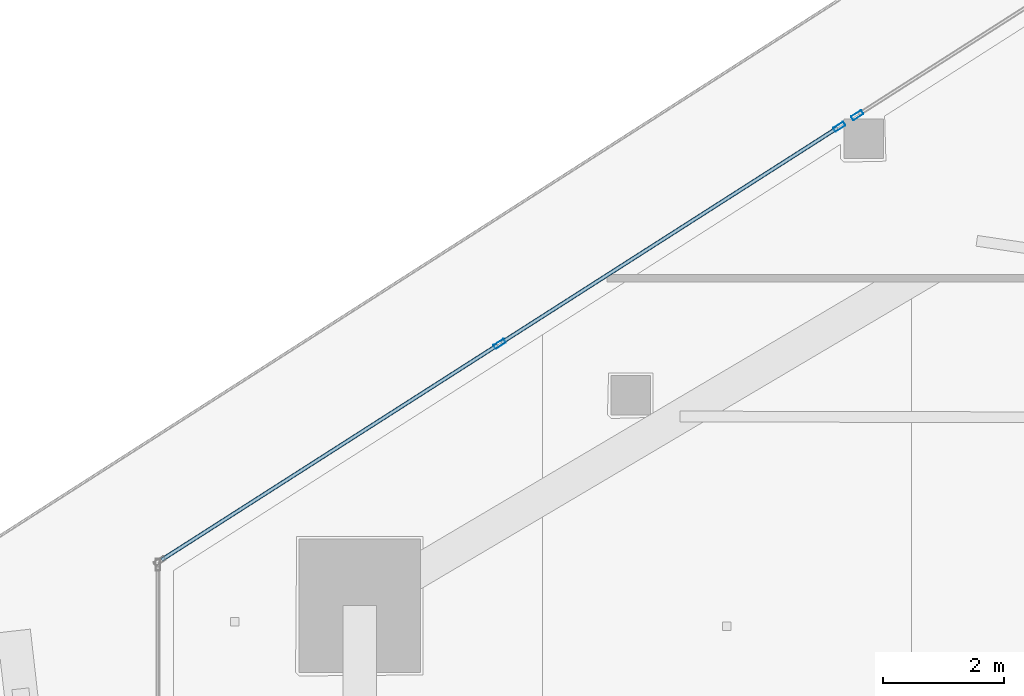
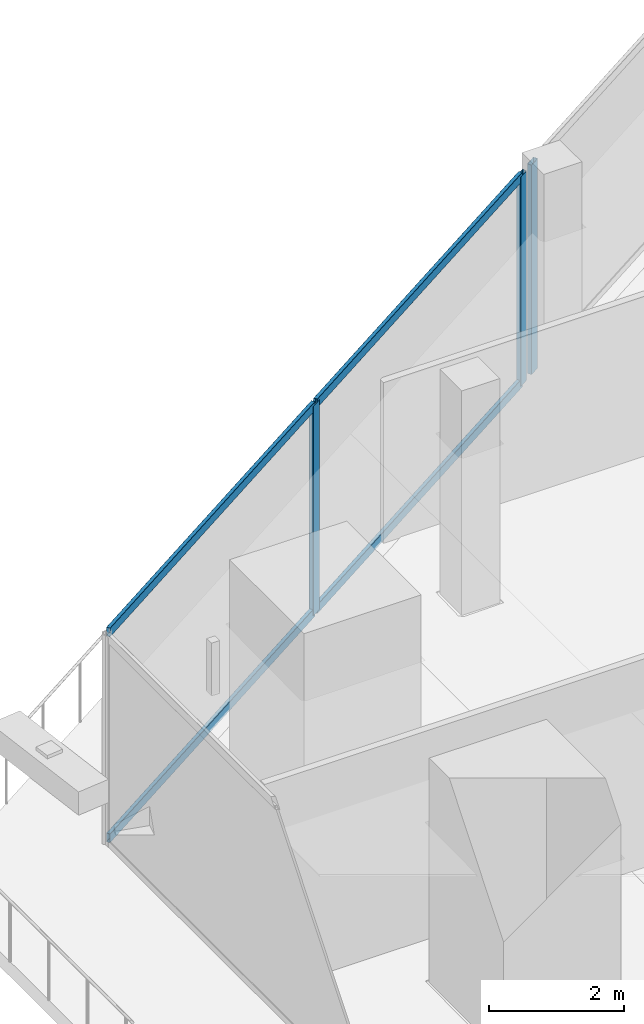
# One storey, part 14 of 38: 7 members, 2 elements without a shape of their own.
"""IFC4 building model written with IfcOpenShell, lengths in metres."""

from ifc_helpers import new_model, si_unit, direction, frame, origin, origin_2d, place, context, subcontext, project, spatial, hollow_rectangle, extrude, material, layer, layer_set, material_profile, profile_set, type_object, element, aggregate, save


model = new_model("IFC4")

# Units and contexts
model_context = context("Model", 3, precision=1e-05, world=origin(), true_north=direction((0.0, 1.0)))
body_context = subcontext(model_context, "Body", "Model", "MODEL_VIEW")
ifc_project = project(units=[si_unit("LENGTHUNIT", "METRE"), si_unit("AREAUNIT", "SQUARE_METRE"), si_unit("VOLUMEUNIT", "CUBIC_METRE"), si_unit("PLANEANGLEUNIT", "RADIAN"), si_unit("MASSUNIT", "GRAM", prefix="KILO")], contexts=[model_context])

# Site, building, storey
site_placement = place(None, origin())
site = spatial("IfcSite", under=ifc_project, at=site_placement, CompositionType="ELEMENT")
building_placement = place(site_placement, origin())
building = spatial("IfcBuilding", under=site, at=building_placement, Name="Qorvath Tower", CompositionType="ELEMENT")
storey_placement = place(building_placement, frame((0.0, 0.0, 158.39990234375)))
storey = spatial("IfcBuildingStorey", under=building, at=storey_placement, Name="L36", CompositionType="ELEMENT", Elevation=158.39990234375)

# Curtain wall, member
ifc_material_1 = material(Name="Anodised aluminium and triple low-E glass", Category="aluminium")
ifc_layer = layer(ifc_material_1, 0.179931640625)
ifc_layer_set = layer_set([ifc_layer], Name="CW-SYS-5")
curtain_wall_type = type_object("IfcCurtainWallType", Name="CW-SYS-5", PredefinedType="NOTDEFINED", material=ifc_layer_set)
curtain_wall_1_placement = place(storey_placement, origin())
curtain_wall_1 = element("IfcCurtainWall", 1, at=curtain_wall_1_placement, inside=storey, type_object=curtain_wall_type, Name="Curtain Wall CW-5 CW-T-L36-16.2", PredefinedType="NOTDEFINED")
ifc_material_2 = material(Name="Anodised aluminium 6063-T6", Category="aluminium")
ifc_material_profile_1 = material_profile(ifc_material_2, hollow_rectangle(XDim=0.074951171875, YDim=0.199951171875, WallThickness=0.00390625, InnerFilletRadius=0.00390625, OuterFilletRadius=0.008056640625, at=origin_2d()), Name="CWM 200x75")
ifc_profile_set_1 = profile_set([ifc_material_profile_1], Name="Anodised aluminium 6063-T6")
member_type_1 = type_object("IfcMemberType", Name="CWM-200", PredefinedType="MULLION", material=ifc_profile_set_1)
member_1_placement = place(storey_placement, frame((-44.841796875, 11.04248046875, 0.0), z_axis=(0.0, 0.0, 1.0), x_axis=(0.53853949052, -0.842600271273, 0.0)))
member_1 = element("IfcMember", 2, at=member_1_placement, type_object=member_type_1, Name="CW-5 mullion 4", PredefinedType="MULLION", context=body_context, shape_type="SweptSolid", body=[
    extrude(hollow_rectangle(XDim=0.074951171875, YDim=0.199951171875, WallThickness=0.00390625, InnerFilletRadius=0.00390625, OuterFilletRadius=0.008056640625, at=origin_2d()), origin(), (0.0, 0.0, 1.0), 3.780029296875),
])
aggregate(curtain_wall_1, [member_1])

# Curtain wall, members
curtain_wall_2_placement = place(storey_placement, origin())
curtain_wall_2 = element("IfcCurtainWall", 3, at=curtain_wall_2_placement, inside=storey, type_object=curtain_wall_type, Name="Curtain Wall CW-5 CW-T-L36-16.3", PredefinedType="NOTDEFINED")
member_2_placement = place(storey_placement, frame((-45.1376953125, 10.853271484375, 0.0), z_axis=(0.0, 0.0, 1.0), x_axis=(0.538528565454, -0.84260725382, 0.0)))
member_2 = element("IfcMember", 4, at=member_2_placement, type_object=member_type_1, Name="CW-5 mullion 1", PredefinedType="MULLION", context=body_context, shape_type="SweptSolid", body=[
    extrude(hollow_rectangle(XDim=0.074951171875, YDim=0.199951171875, WallThickness=0.00390625, InnerFilletRadius=0.00390625, OuterFilletRadius=0.008056640625, at=origin_2d()), origin(), (0.0, 0.0, 1.0), 3.780029296875),
])
member_3_placement = place(storey_placement, frame((-50.744140625, 7.27001953125, 0.0), z_axis=(0.0, 0.0, 1.0), x_axis=(0.538528565454, -0.84260725382, 0.0)))
member_3 = element("IfcMember", 5, at=member_3_placement, type_object=member_type_1, Name="CW-5 mullion 2", PredefinedType="MULLION", context=body_context, shape_type="SweptSolid", body=[
    extrude(hollow_rectangle(XDim=0.074951171875, YDim=0.199951171875, WallThickness=0.00390625, InnerFilletRadius=0.00390625, OuterFilletRadius=0.008056640625, at=origin_2d()), origin(), (0.0, 0.0, 1.0), 3.780029296875),
])
ifc_material_3 = material(Name="Anodised aluminium 6063-T6", Category="aluminium")
ifc_material_profile_2 = material_profile(ifc_material_3, hollow_rectangle(XDim=0.06494140625, YDim=0.159912109375, WallThickness=0.00341796875, InnerFilletRadius=0.00341796875, OuterFilletRadius=0.007080078125, at=origin_2d()), Name="CWT 160x65")
ifc_profile_set_2 = profile_set([ifc_material_profile_2], Name="Anodised aluminium 6063-T6")
member_type_2 = type_object("IfcMemberType", Name="CWT-160", PredefinedType="USERDEFINED", material=ifc_profile_set_2)
member_4_placement = place(storey_placement, frame((-45.16943359375, 10.8330078125, 0.032470703125), z_axis=(-0.842611595008, -0.538521772965, 0.0), x_axis=(0.538521772965, -0.842611595008, 0.0)))
member_4 = element("IfcMember", 6, at=member_4_placement, type_object=member_type_2, Name="CW-5 transom 1.1", ObjectType="TRANSOM", PredefinedType="USERDEFINED", context=body_context, shape_type="SweptSolid", body=[
    extrude(hollow_rectangle(XDim=0.06494140625, YDim=0.159912109375, WallThickness=0.00341796875, InnerFilletRadius=0.00341796875, OuterFilletRadius=0.007080078125, at=origin_2d()), origin(), (0.0, 0.0, 1.0), 6.57861328125),
])
member_5_placement = place(storey_placement, frame((-45.16943359375, 10.8330078125, 3.74755859375), z_axis=(-0.842611595008, -0.538521772965, 0.0), x_axis=(0.538521772965, -0.842611595008, 0.0)))
member_5 = element("IfcMember", 7, at=member_5_placement, type_object=member_type_2, Name="CW-5 transom 1.2", ObjectType="TRANSOM", PredefinedType="USERDEFINED", context=body_context, shape_type="SweptSolid", body=[
    extrude(hollow_rectangle(XDim=0.06494140625, YDim=0.159912109375, WallThickness=0.00341796875, InnerFilletRadius=0.00341796875, OuterFilletRadius=0.007080078125, at=origin_2d()), origin(), (0.0, 0.0, 1.0), 6.57861328125),
])
member_6_placement = place(storey_placement, frame((-50.77587890625, 7.25, 0.032470703125), z_axis=(-0.842594755145, -0.538548120972, 0.0), x_axis=(0.538548120972, -0.842594755145, 0.0)))
member_6 = element("IfcMember", 8, at=member_6_placement, type_object=member_type_2, Name="CW-5 transom 2.1", ObjectType="TRANSOM", PredefinedType="USERDEFINED", context=body_context, shape_type="SweptSolid", body=[
    extrude(hollow_rectangle(XDim=0.06494140625, YDim=0.159912109375, WallThickness=0.00341796875, InnerFilletRadius=0.00341796875, OuterFilletRadius=0.007080078125, at=origin_2d()), origin(), (0.0, 0.0, 1.0), 6.578857421875),
])
member_7_placement = place(storey_placement, frame((-50.77587890625, 7.25, 3.74755859375), z_axis=(-0.842594755145, -0.538548120972, 0.0), x_axis=(0.538548120972, -0.842594755145, 0.0)))
member_7 = element("IfcMember", 9, at=member_7_placement, type_object=member_type_2, Name="CW-5 transom 2.2", ObjectType="TRANSOM", PredefinedType="USERDEFINED", context=body_context, shape_type="SweptSolid", body=[
    extrude(hollow_rectangle(XDim=0.06494140625, YDim=0.159912109375, WallThickness=0.00341796875, InnerFilletRadius=0.00341796875, OuterFilletRadius=0.007080078125, at=origin_2d()), origin(), (0.0, 0.0, 1.0), 6.578857421875),
])
aggregate(curtain_wall_2, [member_2, member_3, member_4, member_5, member_6, member_7])

save(model, "model.ifc")
